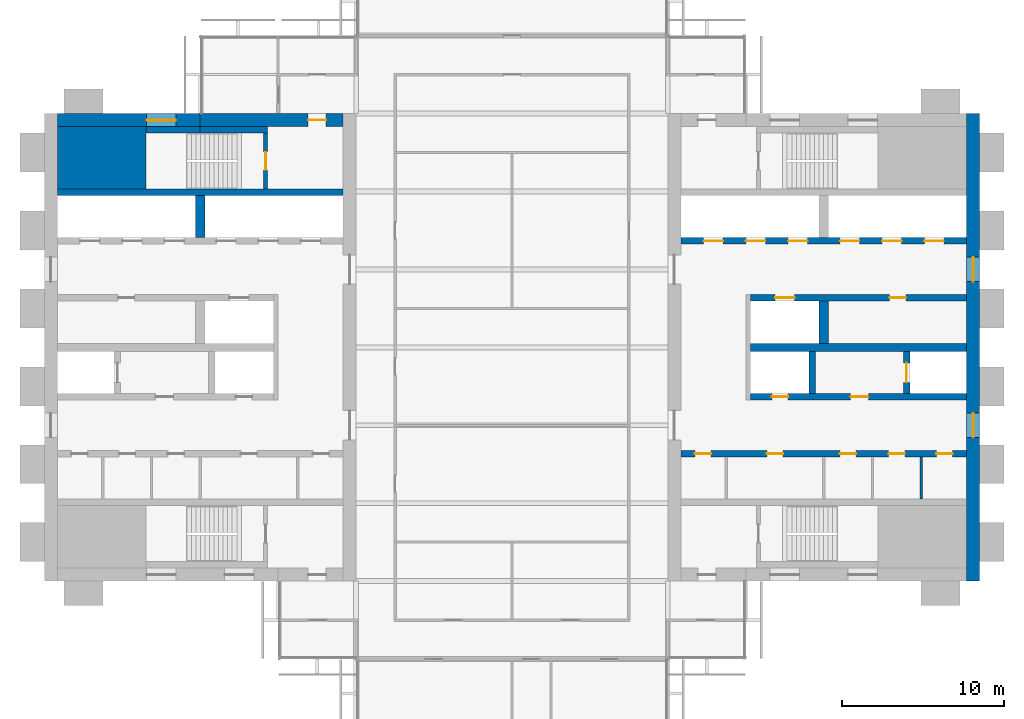
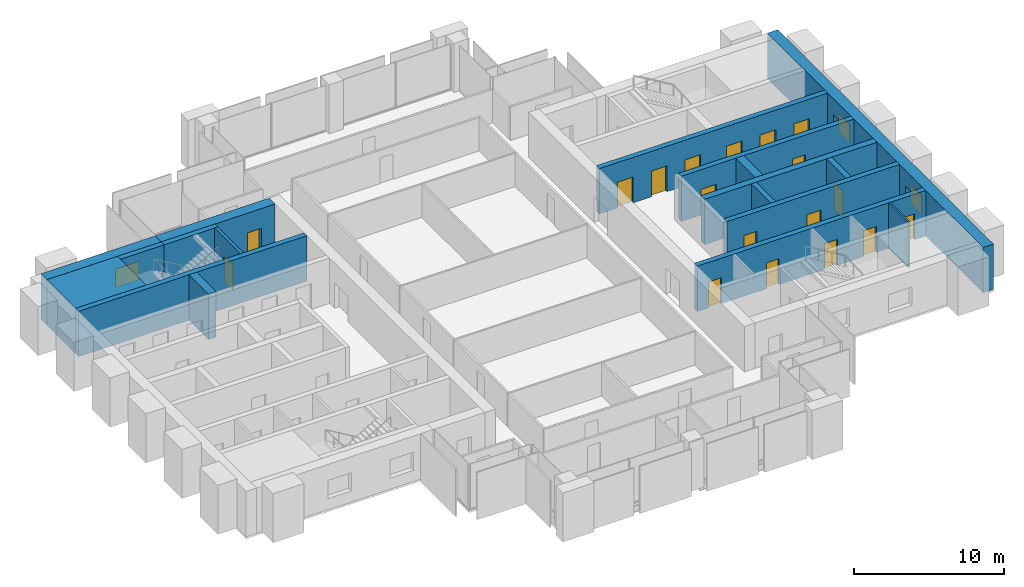
# One storey, part 10 of 13: 18 doors, 18 walls, 3 windows, 21 openings.
"""IFC4 building model written with IfcOpenShell, lengths in metres."""

from ifc_helpers import new_model, si_unit, direction, frame, frame_2d, origin, place, context, subcontext, project, spatial, rectangle, extrude, material, layer, layer_set, type_object, element, fill, save


model = new_model("IFC4")

# Units and contexts
model_context = context("Model", 3, precision=1e-05, world=origin(), true_north=direction((0.0, 1.0)))
body_context = subcontext(model_context, "Body", "Model", "MODEL_VIEW")
ifc_project = project(units=[si_unit("LENGTHUNIT", "METRE"), si_unit("AREAUNIT", "SQUARE_METRE"), si_unit("VOLUMEUNIT", "CUBIC_METRE"), si_unit("PLANEANGLEUNIT", "RADIAN"), si_unit("MASSUNIT", "GRAM", prefix="KILO")], contexts=[model_context])

# Site, building, storey
site_placement = place(None, origin())
site = spatial("IfcSite", under=ifc_project, at=site_placement, CompositionType="ELEMENT")
building_placement = place(site_placement, origin())
building = spatial("IfcBuilding", under=site, at=building_placement, Name="Baori Bourse Tower", CompositionType="ELEMENT")
storey_placement = place(building_placement, frame((0.0, 0.0, 261.199951171875)))
storey = spatial("IfcBuildingStorey", under=building, at=storey_placement, Name="L58", CompositionType="ELEMENT", Elevation=261.199951171875)

# Walls
ifc_material_1 = material(Name="Concrete f'c 50 MPa", Category="concrete")
wall_type_1 = type_object("IfcWallType", Name="Core corner block f'c 50", PredefinedType="SHEAR", material=ifc_material_1)
wall_1_placement = place(storey_placement, frame((0.800048828125, 35.675048828125, 0.0), z_axis=(0.0, 0.0, 1.0), x_axis=(1.0, 0.0, 0.0)))
element("IfcWall", 1, at=wall_1_placement, inside=storey, type_object=wall_type_1, Name="Core wall W24", PredefinedType="SHEAR", context=body_context, shape_type="SweptSolid", body=[
    extrude(rectangle(XDim=5.449951171875, YDim=3.85009765625, at=frame_2d((2.72509765625, 0.0))), origin(), (0.0, 0.0, 1.0), 3.699951171875),
])
ifc_material_2 = material(Name="Blockwork partition", Category="masonry")
ifc_layer_1 = layer(ifc_material_2, 0.14990234375)
ifc_layer_set_1 = layer_set([ifc_layer_1], Name="Core partition 150")
wall_type_2 = type_object("IfcWallType", Name="Core partition 150", PredefinedType="PARTITIONING", material=ifc_layer_set_1)
wall_2_placement = place(storey_placement, frame((54.0, 14.64990234375, 0.0), z_axis=(0.0, 0.0, 1.0), x_axis=(0.0, 1.0, 0.0)))
element("IfcWall", 2, at=wall_2_placement, inside=storey, type_object=wall_type_2, Name="Partition wall E09", PredefinedType="PARTITIONING", context=body_context, shape_type="SweptSolid", body=[
    extrude(rectangle(XDim=2.60009765625, YDim=0.14990234375, at=frame_2d((1.300048828125, 0.0))), origin(), (0.0, 0.0, 1.0), 3.699951171875),
])

# Wall, opening, window
ifc_material_3 = material(Name="Concrete f'c 50 MPa", Category="concrete")
ifc_layer_2 = layer(ifc_material_3, 0.800048828125)
ifc_layer_set_2 = layer_set([ifc_layer_2], Name="Core wall 800 f'c 50")
wall_type_3 = type_object("IfcWallType", Name="Core wall 800 f'c 50", PredefinedType="SHEAR", material=ifc_layer_set_2)
wall_3_placement = place(storey_placement, frame((0.800048828125, 38.0, 0.0), z_axis=(0.0, 0.0, 1.0), x_axis=(1.0, 0.0, 0.0)))
wall_3 = element("IfcWall", 3, at=wall_3_placement, inside=storey, type_object=wall_type_3, Name="Core wall W28", PredefinedType="SHEAR", context=body_context, shape_type="SweptSolid", body=[
    extrude(rectangle(XDim=8.800048828125, YDim=0.800048828125, at=frame_2d((4.39990234375, 0.0))), origin(), (0.0, 0.0, 1.0), 3.699951171875),
])
opening_1_placement = place(wall_3_placement, frame((5.5, 0.0, 0.89990234375)))
opening_1 = element("IfcOpeningElement", 4, at=opening_1_placement, cuts=wall_3, Name="Opening L58-KW105", PredefinedType="OPENING", context=body_context, shape_type="SweptSolid", body=[
    extrude(rectangle(XDim=1.800048828125, YDim=1.5, at=frame_2d((0.89990234375, 0.75))), frame((0.0, 0.409912109375, 0.0), z_axis=(0.0, -1.0, 0.0), x_axis=(1.0, 0.0, 0.0)), (0.0, 0.0, 1.0), 0.820068359375),
])
ifc_material_4 = material(Name="Pale anodised aluminium", Category="aluminium")
window_type_1 = type_object("IfcWindowType", Name="Stair window 1800 x 1500", PartitioningType="SINGLE_PANEL", PredefinedType="WINDOW", material=ifc_material_4)
window_1_placement = place(opening_1_placement, origin())
window_1 = element("IfcWindow", 5, at=window_1_placement, inside=storey, type_object=window_type_1, Name="Stair window W L58 5", OverallHeight=1.5, OverallWidth=1.800048828125, PartitioningType="SINGLE_PANEL", PredefinedType="WINDOW", context=body_context, shape_type="SweptSolid", body=[
    extrude(rectangle(XDim=1.800048828125, YDim=1.5, at=frame_2d((0.89990234375, 0.75))), frame((0.0, 0.030029296875, 0.0), z_axis=(0.0, -1.0, 0.0), x_axis=(1.0, 0.0, 0.0)), (0.0, 0.0, 1.0), 0.06005859375),
])
fill(opening_1, window_1)

# Wall, opening, door
wall_4_placement = place(storey_placement, frame((9.60009765625, 38.0, 0.0), z_axis=(0.0, 0.0, 1.0), x_axis=(1.0, 0.0, 0.0)))
wall_4 = element("IfcWall", 6, at=wall_4_placement, inside=storey, type_object=wall_type_3, Name="Core wall W29", PredefinedType="SHEAR", context=body_context, shape_type="SweptSolid", body=[
    extrude(rectangle(XDim=8.7998046875, YDim=0.800048828125, at=frame_2d((4.39990234375, 0.0))), origin(), (0.0, 0.0, 1.0), 3.699951171875),
])
opening_2_placement = place(wall_4_placement, frame((6.64990234375, 0.0, 0.0)))
opening_2 = element("IfcOpeningElement", 7, at=opening_2_placement, cuts=wall_4, Name="Opening L58-D104", PredefinedType="OPENING", context=body_context, shape_type="SweptSolid", body=[
    extrude(rectangle(XDim=1.10009765625, YDim=2.10009765625, at=frame_2d((0.550048828125, 1.050048828125))), frame((0.0, 0.409912109375, 0.0), z_axis=(0.0, -1.0, 0.0), x_axis=(1.0, 0.0, 0.0)), (0.0, 0.0, 1.0), 0.820068359375),
])
ifc_material_5 = material(Name="Painted steel door", Category="steel")
door_type_1 = type_object("IfcDoorType", Name="Stair door 1100", OperationType="SINGLE_SWING_LEFT", PredefinedType="DOOR", material=ifc_material_5)
door_1_placement = place(opening_2_placement, origin())
door_1 = element("IfcDoor", 8, at=door_1_placement, inside=storey, type_object=door_type_1, Name="Stair vestibule door B W L58", OperationType="SINGLE_SWING_LEFT", OverallHeight=2.10009765625, OverallWidth=1.10009765625, PredefinedType="DOOR", context=body_context, shape_type="SweptSolid", body=[
    extrude(rectangle(XDim=1.10009765625, YDim=2.10009765625, at=frame_2d((0.550048828125, 1.050048828125))), frame((0.0, 0.02490234375, 0.0), z_axis=(0.0, -1.0, 0.0), x_axis=(1.0, 0.0, 0.0)), (0.0, 0.0, 1.0), 0.050048828125),
])
fill(opening_2, door_1)

# Wall, openings, windows
wall_5_placement = place(storey_placement, frame((57.199951171875, 38.39990234375, 0.0), z_axis=(0.0, 0.0, 1.0), x_axis=(0.0, -1.0, 0.0)))
wall_5 = element("IfcWall", 9, at=wall_5_placement, inside=storey, type_object=wall_type_3, Name="Core wall E01", PredefinedType="SHEAR", context=body_context, shape_type="SweptSolid", body=[
    extrude(rectangle(XDim=28.7998046875, YDim=0.800048828125, at=frame_2d((14.39990234375, 0.0))), origin(), (0.0, 0.0, 1.0), 3.699951171875),
])
opening_3_placement = place(wall_5_placement, frame((18.449951171875, 0.0, 0.89990234375)))
opening_3 = element("IfcOpeningElement", 10, at=opening_3_placement, cuts=wall_5, Name="Opening L58-KW201", PredefinedType="OPENING", context=body_context, shape_type="SweptSolid", body=[
    extrude(rectangle(XDim=1.5, YDim=1.5, at=frame_2d((0.75, 0.75))), frame((0.0, 0.409912109375, 0.0), z_axis=(0.0, -1.0, 0.0), x_axis=(1.0, 0.0, 0.0)), (0.0, 0.0, 1.0), 0.820068359375),
])
opening_4_placement = place(wall_5_placement, frame((8.85009765625, 0.0, 0.89990234375)))
opening_4 = element("IfcOpeningElement", 11, at=opening_4_placement, cuts=wall_5, Name="Opening L58-KW202", PredefinedType="OPENING", context=body_context, shape_type="SweptSolid", body=[
    extrude(rectangle(XDim=1.5, YDim=1.5, at=frame_2d((0.75, 0.75))), frame((0.0, 0.409912109375, 0.0), z_axis=(0.0, -1.0, 0.0), x_axis=(1.0, 0.0, 0.0)), (0.0, 0.0, 1.0), 0.820068359375),
])
ifc_material_6 = material(Name="Pale anodised aluminium", Category="aluminium")
window_type_2 = type_object("IfcWindowType", Name="Lobby window 1500 x 1500", PartitioningType="SINGLE_PANEL", PredefinedType="WINDOW", material=ifc_material_6)
window_2_placement = place(opening_3_placement, origin())
window_2 = element("IfcWindow", 12, at=window_2_placement, inside=storey, type_object=window_type_2, Name="Outer wall window E L58 1", OverallHeight=1.5, OverallWidth=1.5, PartitioningType="SINGLE_PANEL", PredefinedType="WINDOW", context=body_context, shape_type="SweptSolid", body=[
    extrude(rectangle(XDim=1.5, YDim=1.5, at=frame_2d((0.75, 0.75))), frame((0.0, 0.030029296875, 0.0), z_axis=(0.0, -1.0, 0.0), x_axis=(1.0, 0.0, 0.0)), (0.0, 0.0, 1.0), 0.06005859375),
])
fill(opening_3, window_2)
window_3_placement = place(opening_4_placement, origin())
window_3 = element("IfcWindow", 13, at=window_3_placement, inside=storey, type_object=window_type_2, Name="Outer wall window E L58 2", OverallHeight=1.5, OverallWidth=1.5, PartitioningType="SINGLE_PANEL", PredefinedType="WINDOW", context=body_context, shape_type="SweptSolid", body=[
    extrude(rectangle(XDim=1.5, YDim=1.5, at=frame_2d((0.75, 0.75))), frame((0.0, 0.030029296875, 0.0), z_axis=(0.0, -1.0, 0.0), x_axis=(1.0, 0.0, 0.0)), (0.0, 0.0, 1.0), 0.06005859375),
])
fill(opening_4, window_3)

# Wall, opening, door
ifc_material_7 = material(Name="Concrete f'c 50 MPa", Category="concrete")
ifc_layer_3 = layer(ifc_material_7, 0.25)
ifc_layer_set_3 = layer_set([ifc_layer_3], Name="Shaft wall 250 f'c 50")
wall_type_4 = type_object("IfcWallType", Name="Shaft wall 250 f'c 50", PredefinedType="SHEAR", material=ifc_layer_set_3)
wall_6_placement = place(storey_placement, frame((13.625, 33.75, 0.0), z_axis=(0.0, 0.0, 1.0), x_axis=(0.0, 1.0, 0.0)))
wall_6 = element("IfcWall", 14, at=wall_6_placement, inside=storey, type_object=wall_type_4, Name="Core wall W25", PredefinedType="SHEAR", context=body_context, shape_type="SweptSolid", body=[
    extrude(rectangle(XDim=3.449951171875, YDim=0.25, at=frame_2d((1.72509765625, 0.0))), origin(), (0.0, 0.0, 1.0), 3.699951171875),
])
opening_5_placement = place(wall_6_placement, frame((1.175048828125, 0.0, 0.0)))
opening_5 = element("IfcOpeningElement", 15, at=opening_5_placement, cuts=wall_6, Name="Opening L58-D103", PredefinedType="OPENING", context=body_context, shape_type="SweptSolid", body=[
    extrude(rectangle(XDim=1.10009765625, YDim=2.10009765625, at=frame_2d((0.550048828125, 1.050048828125))), frame((0.0, 0.135009765625, 0.0), z_axis=(0.0, -1.0, 0.0), x_axis=(1.0, 0.0, 0.0)), (0.0, 0.0, 1.0), 0.27001953125),
])
door_2_placement = place(opening_5_placement, origin())
door_2 = element("IfcDoor", 16, at=door_2_placement, inside=storey, type_object=door_type_1, Name="Stair door B W L58", OperationType="SINGLE_SWING_LEFT", OverallHeight=2.10009765625, OverallWidth=1.10009765625, PredefinedType="DOOR", context=body_context, shape_type="SweptSolid", body=[
    extrude(rectangle(XDim=1.10009765625, YDim=2.10009765625, at=frame_2d((0.550048828125, 1.050048828125))), frame((0.0, 0.02490234375, 0.0), z_axis=(0.0, -1.0, 0.0), x_axis=(1.0, 0.0, 0.0)), (0.0, 0.0, 1.0), 0.050048828125),
])
fill(opening_5, door_2)

# Walls
ifc_material_8 = material(Name="Concrete f'c 50 MPa", Category="concrete")
ifc_layer_4 = layer(ifc_material_8, 0.39990234375)
ifc_layer_set_4 = layer_set([ifc_layer_4], Name="Shaft wall 400 f'c 50")
wall_type_5 = type_object("IfcWallType", Name="Shaft wall 400 f'c 50", PredefinedType="SHEAR", material=ifc_layer_set_4)
wall_7_placement = place(storey_placement, frame((0.800048828125, 33.550048828125, 0.0), z_axis=(0.0, 0.0, 1.0), x_axis=(1.0, 0.0, 0.0)))
element("IfcWall", 17, at=wall_7_placement, inside=storey, type_object=wall_type_5, Name="Core wall W23", PredefinedType="SHEAR", context=body_context, shape_type="SweptSolid", body=[
    extrude(rectangle(XDim=17.599853515625, YDim=0.39990234375, at=frame_2d((8.7998046875, 0.0))), origin(), (0.0, 0.0, 1.0), 3.699951171875),
])
wall_8_placement = place(storey_placement, frame((6.25, 37.39990234375, 0.0), z_axis=(0.0, 0.0, 1.0), x_axis=(1.0, 0.0, 0.0)))
element("IfcWall", 18, at=wall_8_placement, inside=storey, type_object=wall_type_5, Name="Core wall W26", PredefinedType="SHEAR", context=body_context, shape_type="SweptSolid", body=[
    extrude(rectangle(XDim=3.35009765625, YDim=0.39990234375, at=frame_2d((1.675048828125, 0.0))), origin(), (0.0, 0.0, 1.0), 3.699951171875),
])
wall_9_placement = place(storey_placement, frame((9.60009765625, 37.39990234375, 0.0), z_axis=(0.0, 0.0, 1.0), x_axis=(1.0, 0.0, 0.0)))
element("IfcWall", 19, at=wall_9_placement, inside=storey, type_object=wall_type_5, Name="Core wall W27", PredefinedType="SHEAR", context=body_context, shape_type="SweptSolid", body=[
    extrude(rectangle(XDim=4.14990234375, YDim=0.39990234375, at=frame_2d((2.074951171875, 0.0))), origin(), (0.0, 0.0, 1.0), 3.699951171875),
])

# Wall, openings, doors
wall_10_placement = place(storey_placement, frame((39.199951171875, 17.449951171875, 0.0), z_axis=(0.0, 0.0, 1.0), x_axis=(1.0, 0.0, 0.0)))
wall_10 = element("IfcWall", 20, at=wall_10_placement, inside=storey, type_object=wall_type_5, Name="Core wall E13", PredefinedType="SHEAR", context=body_context, shape_type="SweptSolid", body=[
    extrude(rectangle(XDim=17.60009765625, YDim=0.39990234375, at=frame_2d((8.800048828125, 0.0))), origin(), (0.0, 0.0, 1.0), 3.699951171875),
])
opening_6_placement = place(wall_10_placement, frame((15.737548828125, 0.0, 0.0)))
opening_6 = element("IfcOpeningElement", 21, at=opening_6_placement, cuts=wall_10, Name="Opening L58-D209", PredefinedType="OPENING", context=body_context, shape_type="SweptSolid", body=[
    extrude(rectangle(XDim=1.0, YDim=2.10009765625, at=frame_2d((0.5, 1.050048828125))), frame((0.0, 0.2099609375, 0.0), z_axis=(0.0, -1.0, 0.0), x_axis=(1.0, 0.0, 0.0)), (0.0, 0.0, 1.0), 0.419921875),
])
opening_7_placement = place(wall_10_placement, frame((12.800048828125, 0.0, 0.0)))
opening_7 = element("IfcOpeningElement", 22, at=opening_7_placement, cuts=wall_10, Name="Opening L58-D210", PredefinedType="OPENING", context=body_context, shape_type="SweptSolid", body=[
    extrude(rectangle(XDim=1.0, YDim=2.10009765625, at=frame_2d((0.5, 1.050048828125))), frame((0.0, 0.2099609375, 0.0), z_axis=(0.0, -1.0, 0.0), x_axis=(1.0, 0.0, 0.0)), (0.0, 0.0, 1.0), 0.419921875),
])
opening_8_placement = place(wall_10_placement, frame((9.800048828125, 0.0, 0.0)))
opening_8 = element("IfcOpeningElement", 23, at=opening_8_placement, cuts=wall_10, Name="Opening L58-D211", PredefinedType="OPENING", context=body_context, shape_type="SweptSolid", body=[
    extrude(rectangle(XDim=1.0, YDim=2.10009765625, at=frame_2d((0.5, 1.050048828125))), frame((0.0, 0.2099609375, 0.0), z_axis=(0.0, -1.0, 0.0), x_axis=(1.0, 0.0, 0.0)), (0.0, 0.0, 1.0), 0.419921875),
])
opening_9_placement = place(wall_10_placement, frame((5.300048828125, 0.0, 0.0)))
opening_9 = element("IfcOpeningElement", 24, at=opening_9_placement, cuts=wall_10, Name="Opening L58-D212", PredefinedType="OPENING", context=body_context, shape_type="SweptSolid", body=[
    extrude(rectangle(XDim=1.0, YDim=2.10009765625, at=frame_2d((0.5, 1.050048828125))), frame((0.0, 0.2099609375, 0.0), z_axis=(0.0, -1.0, 0.0), x_axis=(1.0, 0.0, 0.0)), (0.0, 0.0, 1.0), 0.419921875),
])
opening_10_placement = place(wall_10_placement, frame((0.862548828125, 0.0, 0.0)))
opening_10 = element("IfcOpeningElement", 25, at=opening_10_placement, cuts=wall_10, Name="Opening L58-D213", PredefinedType="OPENING", context=body_context, shape_type="SweptSolid", body=[
    extrude(rectangle(XDim=1.0, YDim=2.10009765625, at=frame_2d((0.5, 1.050048828125))), frame((0.0, 0.2099609375, 0.0), z_axis=(0.0, -1.0, 0.0), x_axis=(1.0, 0.0, 0.0)), (0.0, 0.0, 1.0), 0.419921875),
])
ifc_material_9 = material(Name="Painted steel door", Category="steel")
door_type_2 = type_object("IfcDoorType", Name="Core door 1000", OperationType="SINGLE_SWING_LEFT", PredefinedType="DOOR", material=ifc_material_9)
door_3_placement = place(opening_6_placement, origin())
door_3 = element("IfcDoor", 26, at=door_3_placement, inside=storey, type_object=door_type_2, Name="Store Room door E L58", OperationType="SINGLE_SWING_LEFT", OverallHeight=2.10009765625, OverallWidth=1.0, PredefinedType="DOOR", context=body_context, shape_type="SweptSolid", body=[
    extrude(rectangle(XDim=1.0, YDim=2.10009765625, at=frame_2d((0.5, 1.050048828125))), frame((0.0, 0.02490234375, 0.0), z_axis=(0.0, -1.0, 0.0), x_axis=(1.0, 0.0, 0.0)), (0.0, 0.0, 1.0), 0.050048828125),
])
fill(opening_6, door_3)
door_4_placement = place(opening_7_placement, origin())
door_4 = element("IfcDoor", 27, at=door_4_placement, inside=storey, type_object=door_type_2, Name="Women'S Wc door E L58", OperationType="SINGLE_SWING_LEFT", OverallHeight=2.10009765625, OverallWidth=1.0, PredefinedType="DOOR", context=body_context, shape_type="SweptSolid", body=[
    extrude(rectangle(XDim=1.0, YDim=2.10009765625, at=frame_2d((0.5, 1.050048828125))), frame((0.0, 0.02490234375, 0.0), z_axis=(0.0, -1.0, 0.0), x_axis=(1.0, 0.0, 0.0)), (0.0, 0.0, 1.0), 0.050048828125),
])
fill(opening_7, door_4)
door_5_placement = place(opening_8_placement, origin())
door_5 = element("IfcDoor", 28, at=door_5_placement, inside=storey, type_object=door_type_2, Name="Accessible Wc door E L58", OperationType="SINGLE_SWING_LEFT", OverallHeight=2.10009765625, OverallWidth=1.0, PredefinedType="DOOR", context=body_context, shape_type="SweptSolid", body=[
    extrude(rectangle(XDim=1.0, YDim=2.10009765625, at=frame_2d((0.5, 1.050048828125))), frame((0.0, 0.02490234375, 0.0), z_axis=(0.0, -1.0, 0.0), x_axis=(1.0, 0.0, 0.0)), (0.0, 0.0, 1.0), 0.050048828125),
])
fill(opening_8, door_5)
door_6_placement = place(opening_9_placement, origin())
door_6 = element("IfcDoor", 29, at=door_6_placement, inside=storey, type_object=door_type_2, Name="Men'S Wc door E L58", OperationType="SINGLE_SWING_LEFT", OverallHeight=2.10009765625, OverallWidth=1.0, PredefinedType="DOOR", context=body_context, shape_type="SweptSolid", body=[
    extrude(rectangle(XDim=1.0, YDim=2.10009765625, at=frame_2d((0.5, 1.050048828125))), frame((0.0, 0.02490234375, 0.0), z_axis=(0.0, -1.0, 0.0), x_axis=(1.0, 0.0, 0.0)), (0.0, 0.0, 1.0), 0.050048828125),
])
fill(opening_9, door_6)
door_7_placement = place(opening_10_placement, origin())
door_7 = element("IfcDoor", 30, at=door_7_placement, inside=storey, type_object=door_type_2, Name="Pantry door E L58", OperationType="SINGLE_SWING_LEFT", OverallHeight=2.10009765625, OverallWidth=1.0, PredefinedType="DOOR", context=body_context, shape_type="SweptSolid", body=[
    extrude(rectangle(XDim=1.0, YDim=2.10009765625, at=frame_2d((0.5, 1.050048828125))), frame((0.0, 0.02490234375, 0.0), z_axis=(0.0, -1.0, 0.0), x_axis=(1.0, 0.0, 0.0)), (0.0, 0.0, 1.0), 0.050048828125),
])
fill(opening_10, door_7)

wall_11_placement = place(storey_placement, frame((43.5, 20.949951171875, 0.0), z_axis=(0.0, 0.0, 1.0), x_axis=(1.0, 0.0, 0.0)))
wall_11 = element("IfcWall", 31, at=wall_11_placement, inside=storey, type_object=wall_type_5, Name="Core wall E14", PredefinedType="SHEAR", context=body_context, shape_type="SweptSolid", body=[
    extrude(rectangle(XDim=13.300048828125, YDim=0.39990234375, at=frame_2d((6.64990234375, 0.0))), origin(), (0.0, 0.0, 1.0), 3.699951171875),
])
opening_11_placement = place(wall_11_placement, frame((6.14990234375, 0.0, 0.0)))
opening_11 = element("IfcOpeningElement", 32, at=opening_11_placement, cuts=wall_11, Name="Opening L58-D205", PredefinedType="OPENING", context=body_context, shape_type="SweptSolid", body=[
    extrude(rectangle(XDim=1.10009765625, YDim=2.10009765625, at=frame_2d((0.550048828125, 1.050048828125))), frame((0.0, 0.2099609375, 0.0), z_axis=(0.0, -1.0, 0.0), x_axis=(1.0, 0.0, 0.0)), (0.0, 0.0, 1.0), 0.419921875),
])
opening_12_placement = place(wall_11_placement, frame((1.300048828125, 0.0, 0.0)))
opening_12 = element("IfcOpeningElement", 33, at=opening_12_placement, cuts=wall_11, Name="Opening L58-D206", PredefinedType="OPENING", context=body_context, shape_type="SweptSolid", body=[
    extrude(rectangle(XDim=1.0, YDim=2.10009765625, at=frame_2d((0.5, 1.050048828125))), frame((0.0, 0.2099609375, 0.0), z_axis=(0.0, -1.0, 0.0), x_axis=(1.0, 0.0, 0.0)), (0.0, 0.0, 1.0), 0.419921875),
])
ifc_material_10 = material(Name="Painted steel door", Category="steel")
door_type_3 = type_object("IfcDoorType", Name="Lobby door 1100", OperationType="SINGLE_SWING_LEFT", PredefinedType="DOOR", material=ifc_material_10)
door_8_placement = place(opening_11_placement, origin())
door_8 = element("IfcDoor", 34, at=door_8_placement, inside=storey, type_object=door_type_3, Name="Firefighting lobby door E L58", OperationType="SINGLE_SWING_LEFT", OverallHeight=2.10009765625, OverallWidth=1.10009765625, PredefinedType="DOOR", context=body_context, shape_type="SweptSolid", body=[
    extrude(rectangle(XDim=1.10009765625, YDim=2.10009765625, at=frame_2d((0.550048828125, 1.050048828125))), frame((0.0, 0.02490234375, 0.0), z_axis=(0.0, -1.0, 0.0), x_axis=(1.0, 0.0, 0.0)), (0.0, 0.0, 1.0), 0.050048828125),
])
fill(opening_11, door_8)
ifc_material_11 = material(Name="Painted steel door", Category="steel")
door_type_4 = type_object("IfcDoorType", Name="Shaft door 1000", OperationType="SINGLE_SWING_LEFT", PredefinedType="DOOR", material=ifc_material_11)
door_9_placement = place(opening_12_placement, origin())
door_9 = element("IfcDoor", 35, at=door_9_placement, inside=storey, type_object=door_type_4, Name="Riser room door E L58", OperationType="SINGLE_SWING_LEFT", OverallHeight=2.10009765625, OverallWidth=1.0, PredefinedType="DOOR", context=body_context, shape_type="SweptSolid", body=[
    extrude(rectangle(XDim=1.0, YDim=2.10009765625, at=frame_2d((0.5, 1.050048828125))), frame((0.0, 0.02490234375, 0.0), z_axis=(0.0, -1.0, 0.0), x_axis=(1.0, 0.0, 0.0)), (0.0, 0.0, 1.0), 0.050048828125),
])
fill(opening_12, door_9)

# Wall, opening, door
wall_12_placement = place(storey_placement, frame((53.10009765625, 21.14990234375, 0.0), z_axis=(0.0, 0.0, 1.0), x_axis=(0.0, 1.0, 0.0)))
wall_12 = element("IfcWall", 36, at=wall_12_placement, inside=storey, type_object=wall_type_5, Name="Core wall E16", PredefinedType="SHEAR", context=body_context, shape_type="SweptSolid", body=[
    extrude(rectangle(XDim=2.60009765625, YDim=0.39990234375, at=frame_2d((1.300048828125, 0.0))), origin(), (0.0, 0.0, 1.0), 3.699951171875),
])
opening_13_placement = place(wall_12_placement, frame((0.699951171875, 0.0, 0.0)))
opening_13 = element("IfcOpeningElement", 37, at=opening_13_placement, cuts=wall_12, Name="Opening L58-D222", PredefinedType="OPENING", context=body_context, shape_type="SweptSolid", body=[
    extrude(rectangle(XDim=1.199951171875, YDim=2.10009765625, at=frame_2d((0.60009765625, 1.050048828125))), frame((0.0, 0.2099609375, 0.0), z_axis=(0.0, -1.0, 0.0), x_axis=(1.0, 0.0, 0.0)), (0.0, 0.0, 1.0), 0.419921875),
])
ifc_material_12 = material(Name="Stainless steel door", Category="steel")
door_type_5 = type_object("IfcDoorType", Name="Lift landing door", OperationType="DOUBLE_DOOR_SLIDING", PredefinedType="DOOR", material=ifc_material_12)
door_10_placement = place(opening_13_placement, origin())
door_10 = element("IfcDoor", 38, at=door_10_placement, inside=storey, type_object=door_type_5, Name="Lift landing door FF2 E L58", OperationType="DOUBLE_DOOR_SLIDING", OverallHeight=2.10009765625, OverallWidth=1.199951171875, PredefinedType="DOOR", context=body_context, shape_type="SweptSolid", body=[
    extrude(rectangle(XDim=1.199951171875, YDim=2.10009765625, at=frame_2d((0.60009765625, 1.050048828125))), frame((0.0, 0.02490234375, 0.0), z_axis=(0.0, -1.0, 0.0), x_axis=(1.0, 0.0, 0.0)), (0.0, 0.0, 1.0), 0.050048828125),
])
fill(opening_13, door_10)

# Wall
wall_13_placement = place(storey_placement, frame((47.300048828125, 21.14990234375, 0.0), z_axis=(0.0, 0.0, 1.0), x_axis=(0.0, 1.0, 0.0)))
element("IfcWall", 39, at=wall_13_placement, inside=storey, type_object=wall_type_5, Name="Core wall E17", PredefinedType="SHEAR", context=body_context, shape_type="SweptSolid", body=[
    extrude(rectangle(XDim=2.60009765625, YDim=0.39990234375, at=frame_2d((1.300048828125, 0.0))), origin(), (0.0, 0.0, 1.0), 3.699951171875),
])

# Wall, openings, doors
wall_14_placement = place(storey_placement, frame((43.5, 27.050048828125, 0.0), z_axis=(0.0, 0.0, 1.0), x_axis=(1.0, 0.0, 0.0)))
wall_14 = element("IfcWall", 40, at=wall_14_placement, inside=storey, type_object=wall_type_5, Name="Core wall E20", PredefinedType="SHEAR", context=body_context, shape_type="SweptSolid", body=[
    extrude(rectangle(XDim=13.300048828125, YDim=0.39990234375, at=frame_2d((6.64990234375, 0.0))), origin(), (0.0, 0.0, 1.0), 3.699951171875),
])
opening_14_placement = place(wall_14_placement, frame((8.550048828125, 0.0, 0.0)))
opening_14 = element("IfcOpeningElement", 41, at=opening_14_placement, cuts=wall_14, Name="Opening L58-D214", PredefinedType="OPENING", context=body_context, shape_type="SweptSolid", body=[
    extrude(rectangle(XDim=1.0, YDim=2.10009765625, at=frame_2d((0.5, 1.050048828125))), frame((0.0, 0.2099609375, 0.0), z_axis=(0.0, -1.0, 0.0), x_axis=(1.0, 0.0, 0.0)), (0.0, 0.0, 1.0), 0.419921875),
])
opening_15_placement = place(wall_14_placement, frame((1.5, 0.0, 0.0)))
opening_15 = element("IfcOpeningElement", 42, at=opening_15_placement, cuts=wall_14, Name="Opening L58-D221", PredefinedType="OPENING", context=body_context, shape_type="SweptSolid", body=[
    extrude(rectangle(XDim=1.199951171875, YDim=2.10009765625, at=frame_2d((0.60009765625, 1.050048828125))), frame((0.0, 0.2099609375, 0.0), z_axis=(0.0, -1.0, 0.0), x_axis=(1.0, 0.0, 0.0)), (0.0, 0.0, 1.0), 0.419921875),
])
door_11_placement = place(opening_14_placement, origin())
door_11 = element("IfcDoor", 43, at=door_11_placement, inside=storey, type_object=door_type_2, Name="Store Room door E L58", OperationType="SINGLE_SWING_LEFT", OverallHeight=2.10009765625, OverallWidth=1.0, PredefinedType="DOOR", context=body_context, shape_type="SweptSolid", body=[
    extrude(rectangle(XDim=1.0, YDim=2.10009765625, at=frame_2d((0.5, 1.050048828125))), frame((0.0, 0.02490234375, 0.0), z_axis=(0.0, -1.0, 0.0), x_axis=(1.0, 0.0, 0.0)), (0.0, 0.0, 1.0), 0.050048828125),
])
fill(opening_14, door_11)
door_12_placement = place(opening_15_placement, origin())
door_12 = element("IfcDoor", 44, at=door_12_placement, inside=storey, type_object=door_type_5, Name="Lift landing door SV1 E L58", OperationType="DOUBLE_DOOR_SLIDING", OverallHeight=2.10009765625, OverallWidth=1.199951171875, PredefinedType="DOOR", context=body_context, shape_type="SweptSolid", body=[
    extrude(rectangle(XDim=1.199951171875, YDim=2.10009765625, at=frame_2d((0.60009765625, 1.050048828125))), frame((0.0, 0.02490234375, 0.0), z_axis=(0.0, -1.0, 0.0), x_axis=(1.0, 0.0, 0.0)), (0.0, 0.0, 1.0), 0.050048828125),
])
fill(opening_15, door_12)

wall_15_placement = place(storey_placement, frame((39.199951171875, 30.550048828125, 0.0), z_axis=(0.0, 0.0, 1.0), x_axis=(1.0, 0.0, 0.0)))
wall_15 = element("IfcWall", 45, at=wall_15_placement, inside=storey, type_object=wall_type_5, Name="Core wall E21", PredefinedType="SHEAR", context=body_context, shape_type="SweptSolid", body=[
    extrude(rectangle(XDim=17.60009765625, YDim=0.39990234375, at=frame_2d((8.800048828125, 0.0))), origin(), (0.0, 0.0, 1.0), 3.699951171875),
])
opening_16_placement = place(wall_15_placement, frame((15.0, 0.0, 0.0)))
opening_16 = element("IfcOpeningElement", 46, at=opening_16_placement, cuts=wall_15, Name="Opening L58-D215", PredefinedType="OPENING", context=body_context, shape_type="SweptSolid", body=[
    extrude(rectangle(XDim=1.199951171875, YDim=2.10009765625, at=frame_2d((0.60009765625, 1.050048828125))), frame((0.0, 0.2099609375, 0.0), z_axis=(0.0, -1.0, 0.0), x_axis=(1.0, 0.0, 0.0)), (0.0, 0.0, 1.0), 0.419921875),
])
opening_17_placement = place(wall_15_placement, frame((12.39990234375, 0.0, 0.0)))
opening_17 = element("IfcOpeningElement", 47, at=opening_17_placement, cuts=wall_15, Name="Opening L58-D216", PredefinedType="OPENING", context=body_context, shape_type="SweptSolid", body=[
    extrude(rectangle(XDim=1.199951171875, YDim=2.10009765625, at=frame_2d((0.60009765625, 1.050048828125))), frame((0.0, 0.2099609375, 0.0), z_axis=(0.0, -1.0, 0.0), x_axis=(1.0, 0.0, 0.0)), (0.0, 0.0, 1.0), 0.419921875),
])
opening_18_placement = place(wall_15_placement, frame((9.800048828125, 0.0, 0.0)))
opening_18 = element("IfcOpeningElement", 48, at=opening_18_placement, cuts=wall_15, Name="Opening L58-D217", PredefinedType="OPENING", context=body_context, shape_type="SweptSolid", body=[
    extrude(rectangle(XDim=1.199951171875, YDim=2.10009765625, at=frame_2d((0.60009765625, 1.050048828125))), frame((0.0, 0.2099609375, 0.0), z_axis=(0.0, -1.0, 0.0), x_axis=(1.0, 0.0, 0.0)), (0.0, 0.0, 1.0), 0.419921875),
])
opening_19_placement = place(wall_15_placement, frame((6.60009765625, 0.0, 0.0)))
opening_19 = element("IfcOpeningElement", 49, at=opening_19_placement, cuts=wall_15, Name="Opening L58-D218", PredefinedType="OPENING", context=body_context, shape_type="SweptSolid", body=[
    extrude(rectangle(XDim=1.199951171875, YDim=2.10009765625, at=frame_2d((0.60009765625, 1.050048828125))), frame((0.0, 0.2099609375, 0.0), z_axis=(0.0, -1.0, 0.0), x_axis=(1.0, 0.0, 0.0)), (0.0, 0.0, 1.0), 0.419921875),
])
opening_20_placement = place(wall_15_placement, frame((4.0, 0.0, 0.0)))
opening_20 = element("IfcOpeningElement", 50, at=opening_20_placement, cuts=wall_15, Name="Opening L58-D219", PredefinedType="OPENING", context=body_context, shape_type="SweptSolid", body=[
    extrude(rectangle(XDim=1.199951171875, YDim=2.10009765625, at=frame_2d((0.60009765625, 1.050048828125))), frame((0.0, 0.2099609375, 0.0), z_axis=(0.0, -1.0, 0.0), x_axis=(1.0, 0.0, 0.0)), (0.0, 0.0, 1.0), 0.419921875),
])
opening_21_placement = place(wall_15_placement, frame((1.39990234375, 0.0, 0.0)))
opening_21 = element("IfcOpeningElement", 51, at=opening_21_placement, cuts=wall_15, Name="Opening L58-D220", PredefinedType="OPENING", context=body_context, shape_type="SweptSolid", body=[
    extrude(rectangle(XDim=1.199951171875, YDim=2.10009765625, at=frame_2d((0.60009765625, 1.050048828125))), frame((0.0, 0.2099609375, 0.0), z_axis=(0.0, -1.0, 0.0), x_axis=(1.0, 0.0, 0.0)), (0.0, 0.0, 1.0), 0.419921875),
])
door_13_placement = place(opening_16_placement, origin())
door_13 = element("IfcDoor", 52, at=door_13_placement, inside=storey, type_object=door_type_5, Name="Lift landing door HR1 E L58", OperationType="DOUBLE_DOOR_SLIDING", OverallHeight=2.10009765625, OverallWidth=1.199951171875, PredefinedType="DOOR", context=body_context, shape_type="SweptSolid", body=[
    extrude(rectangle(XDim=1.199951171875, YDim=2.10009765625, at=frame_2d((0.60009765625, 1.050048828125))), frame((0.0, 0.02490234375, 0.0), z_axis=(0.0, -1.0, 0.0), x_axis=(1.0, 0.0, 0.0)), (0.0, 0.0, 1.0), 0.050048828125),
])
fill(opening_16, door_13)
door_14_placement = place(opening_17_placement, origin())
door_14 = element("IfcDoor", 53, at=door_14_placement, inside=storey, type_object=door_type_5, Name="Lift landing door HR2 E L58", OperationType="DOUBLE_DOOR_SLIDING", OverallHeight=2.10009765625, OverallWidth=1.199951171875, PredefinedType="DOOR", context=body_context, shape_type="SweptSolid", body=[
    extrude(rectangle(XDim=1.199951171875, YDim=2.10009765625, at=frame_2d((0.60009765625, 1.050048828125))), frame((0.0, 0.02490234375, 0.0), z_axis=(0.0, -1.0, 0.0), x_axis=(1.0, 0.0, 0.0)), (0.0, 0.0, 1.0), 0.050048828125),
])
fill(opening_17, door_14)
door_15_placement = place(opening_18_placement, origin())
door_15 = element("IfcDoor", 54, at=door_15_placement, inside=storey, type_object=door_type_5, Name="Lift landing door HR3 E L58", OperationType="DOUBLE_DOOR_SLIDING", OverallHeight=2.10009765625, OverallWidth=1.199951171875, PredefinedType="DOOR", context=body_context, shape_type="SweptSolid", body=[
    extrude(rectangle(XDim=1.199951171875, YDim=2.10009765625, at=frame_2d((0.60009765625, 1.050048828125))), frame((0.0, 0.02490234375, 0.0), z_axis=(0.0, -1.0, 0.0), x_axis=(1.0, 0.0, 0.0)), (0.0, 0.0, 1.0), 0.050048828125),
])
fill(opening_18, door_15)
door_16_placement = place(opening_19_placement, origin())
door_16 = element("IfcDoor", 55, at=door_16_placement, inside=storey, type_object=door_type_5, Name="Lift landing door HR4 E L58", OperationType="DOUBLE_DOOR_SLIDING", OverallHeight=2.10009765625, OverallWidth=1.199951171875, PredefinedType="DOOR", context=body_context, shape_type="SweptSolid", body=[
    extrude(rectangle(XDim=1.199951171875, YDim=2.10009765625, at=frame_2d((0.60009765625, 1.050048828125))), frame((0.0, 0.02490234375, 0.0), z_axis=(0.0, -1.0, 0.0), x_axis=(1.0, 0.0, 0.0)), (0.0, 0.0, 1.0), 0.050048828125),
])
fill(opening_19, door_16)
door_17_placement = place(opening_20_placement, origin())
door_17 = element("IfcDoor", 56, at=door_17_placement, inside=storey, type_object=door_type_5, Name="Lift landing door HR5 E L58", OperationType="DOUBLE_DOOR_SLIDING", OverallHeight=2.10009765625, OverallWidth=1.199951171875, PredefinedType="DOOR", context=body_context, shape_type="SweptSolid", body=[
    extrude(rectangle(XDim=1.199951171875, YDim=2.10009765625, at=frame_2d((0.60009765625, 1.050048828125))), frame((0.0, 0.02490234375, 0.0), z_axis=(0.0, -1.0, 0.0), x_axis=(1.0, 0.0, 0.0)), (0.0, 0.0, 1.0), 0.050048828125),
])
fill(opening_20, door_17)
door_18_placement = place(opening_21_placement, origin())
door_18 = element("IfcDoor", 57, at=door_18_placement, inside=storey, type_object=door_type_5, Name="Lift landing door HR6 E L58", OperationType="DOUBLE_DOOR_SLIDING", OverallHeight=2.10009765625, OverallWidth=1.199951171875, PredefinedType="DOOR", context=body_context, shape_type="SweptSolid", body=[
    extrude(rectangle(XDim=1.199951171875, YDim=2.10009765625, at=frame_2d((0.60009765625, 1.050048828125))), frame((0.0, 0.02490234375, 0.0), z_axis=(0.0, -1.0, 0.0), x_axis=(1.0, 0.0, 0.0)), (0.0, 0.0, 1.0), 0.050048828125),
])
fill(opening_21, door_18)

# Walls
ifc_material_13 = material(Name="Concrete f'c 50 MPa", Category="concrete")
ifc_layer_5 = layer(ifc_material_13, 0.5)
ifc_layer_set_5 = layer_set([ifc_layer_5], Name="Shaft wall 500 f'c 50")
wall_type_6 = type_object("IfcWallType", Name="Shaft wall 500 f'c 50", PredefinedType="SHEAR", material=ifc_layer_set_5)
wall_16_placement = place(storey_placement, frame((43.5, 24.0, 0.0), z_axis=(0.0, 0.0, 1.0), x_axis=(1.0, 0.0, 0.0)))
element("IfcWall", 58, at=wall_16_placement, inside=storey, type_object=wall_type_6, Name="Core wall E18", PredefinedType="SHEAR", context=body_context, shape_type="SweptSolid", body=[
    extrude(rectangle(XDim=13.300048828125, YDim=0.5, at=frame_2d((6.64990234375, 0.0))), origin(), (0.0, 0.0, 1.0), 3.699951171875),
])
ifc_material_14 = material(Name="Concrete f'c 50 MPa", Category="concrete")
ifc_layer_6 = layer(ifc_material_14, 0.60009765625)
ifc_layer_set_6 = layer_set([ifc_layer_6], Name="Shaft wall 600 f'c 50")
wall_type_7 = type_object("IfcWallType", Name="Shaft wall 600 f'c 50", PredefinedType="SHEAR", material=ifc_layer_set_6)
for number, where, z_axis, x_axis, name in (
    (59, (9.60009765625, 30.75, 0.0), (0.0, 0.0, 1.0), (0.0, 1.0, 0.0), "Core wall W22"),
    (60, (48.0, 24.25, 0.0), (0.0, 0.0, 1.0), (0.0, 1.0, 0.0), "Core wall E19"),
):
    element("IfcWall", number, at=place(storey_placement, frame(where, z_axis=z_axis, x_axis=x_axis)), inside=storey, type_object=wall_type_7, Name=name, PredefinedType="SHEAR", context=body_context, shape_type="SweptSolid", body=[
        extrude(rectangle(XDim=2.60009765625, YDim=0.60009765625, at=frame_2d((1.300048828125, 0.0))), origin(), (0.0, 0.0, 1.0), 3.699951171875),
    ])

save(model, "model.ifc")
